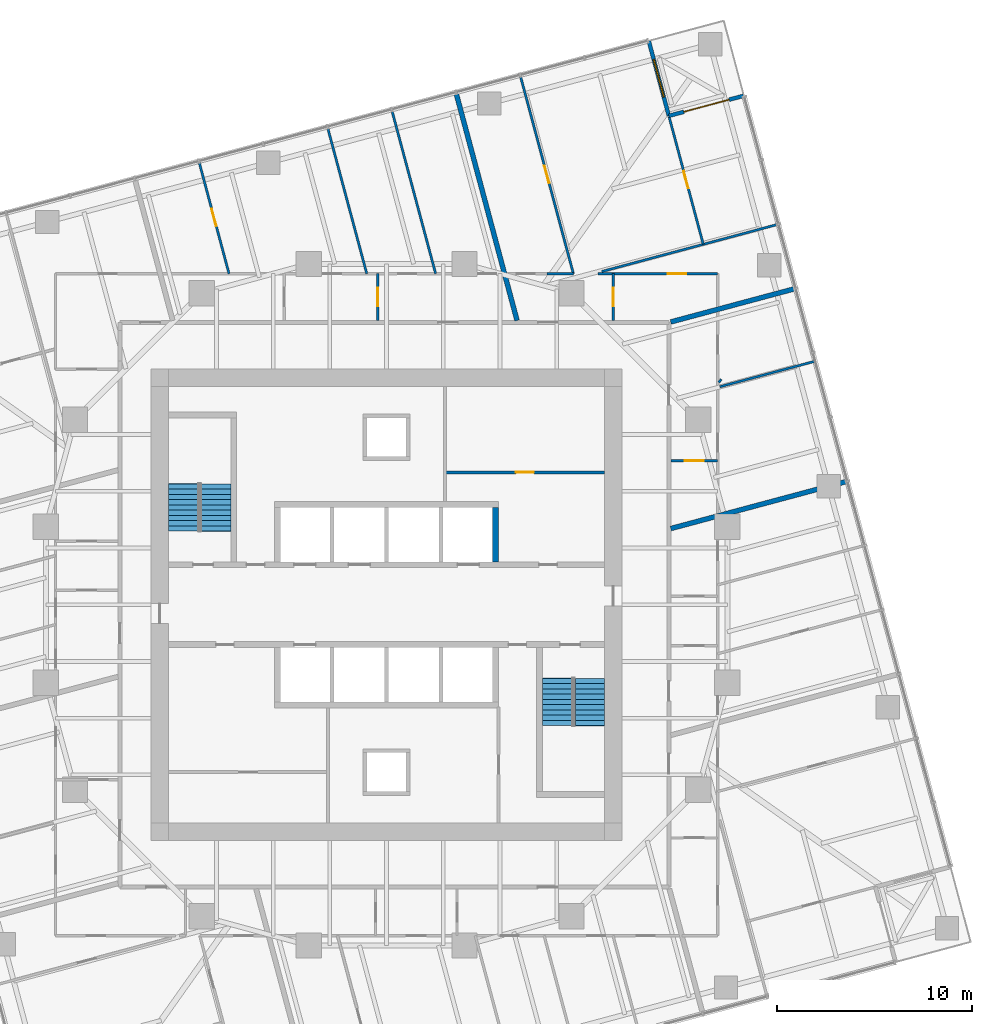
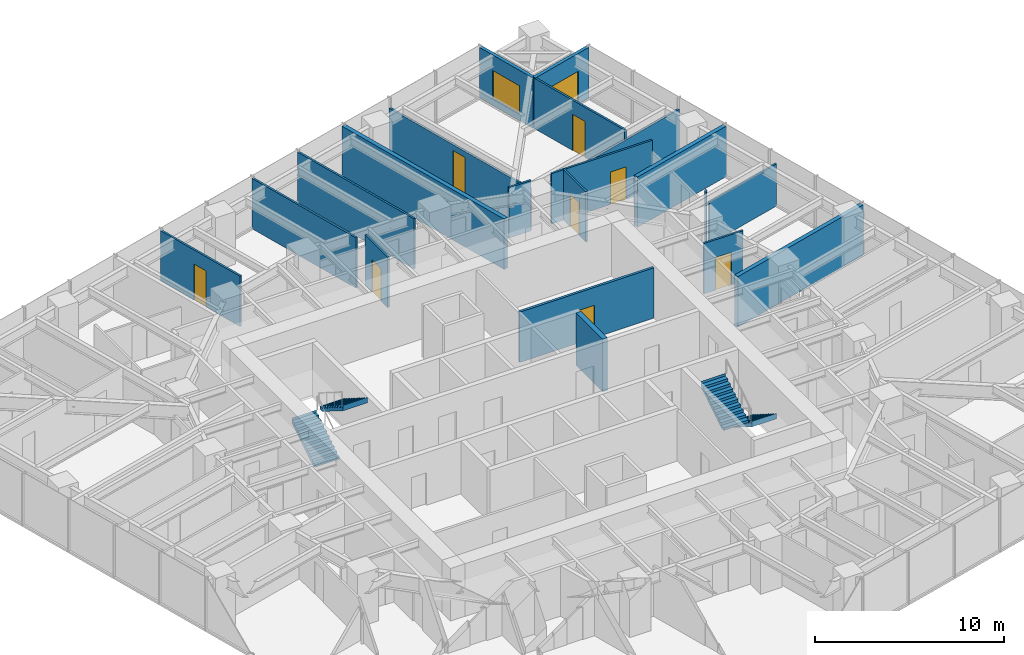
# One storey, part 12 of 13: 20 walls, 9 doors, 4 stair flights, 1 window, 10 openings, 2 elements without a shape of their own.
"""IFC4 building model written with IfcOpenShell, lengths in metres."""

import ifcopenshell
import ifcopenshell.guid

model = None  # the IFC model being written
_history = None  # IfcOwnerHistory: only IFC2X3 demands one
_inside = {}  # id of a spatial element -> (the spatial element, [elements in it])
_under = {}  # id of a project, library or spatial element -> (it, [spatial elements below it])
_declared = {}  # id of a project -> (the project, [libraries it declares])
_typed = {}  # id of a type object -> (the type object, [elements of that type])
_made_of = {}  # id of a material, layer set ... -> (it, [elements and type objects made of it])


def new_model(schema):
    """Start an empty IFC model of exactly this schema.

    Asked for "IFC4X3", IfcOpenShell would pick the latest addendum, in which some entities
    have other attributes; the version numbers below select the first issue.
    IFC2X3 requires an IfcOwnerHistory on every rooted entity: one is made here for all.
    """
    global model, _history
    if schema == "IFC4X3":
        model = ifcopenshell.file(schema_version=(4, 3, 0, 0))
    else:
        model = ifcopenshell.file(schema=schema)
    _inside.clear()
    _under.clear()
    _declared.clear()
    _typed.clear()
    _made_of.clear()
    _history = None
    if model.schema == "IFC2X3":
        org = make("IfcOrganization", Name="unknown")
        user = make(
            "IfcPersonAndOrganization",
            ThePerson=make("IfcPerson", FamilyName="unknown"),
            TheOrganization=org,
        )
        app = make(
            "IfcApplication",
            ApplicationDeveloper=org,
            Version="unknown",
            ApplicationFullName="unknown",
            ApplicationIdentifier="unknown",
        )
        _history = make(
            "IfcOwnerHistory",
            OwningUser=user,
            OwningApplication=app,
            ChangeAction="ADDED",
            CreationDate=0,
        )
    return model


def make(cls, **values):
    """One entity of the class cls with the attributes given. An attribute that is None is left unset."""
    return model.create_entity(
        cls, **{name: value for name, value in values.items() if value is not None}
    )


def rooted(cls, **values):
    """An entity with a GlobalId (a new one), such as an element, a storey or a relation."""
    return make(cls, GlobalId=ifcopenshell.guid.new(), OwnerHistory=_history, **values)


def si_unit(unit_type, name, prefix=None):
    """IfcSIUnit, for example si_unit("LENGTHUNIT", "METRE", prefix="MILLI")."""
    return make("IfcSIUnit", UnitType=unit_type, Prefix=prefix, Name=name)


def assignment(units):
    """IfcUnitAssignment: the units of a project."""
    return None if units is None else make("IfcUnitAssignment", Units=units)


def point(xyz):
    """IfcCartesianPoint."""
    return None if xyz is None else make("IfcCartesianPoint", Coordinates=xyz)


def direction(xyz):
    """IfcDirection."""
    return None if xyz is None else make("IfcDirection", DirectionRatios=xyz)


def frame(location, z_axis=None, x_axis=None):
    """IfcAxis2Placement3D, a coordinate frame: its origin and axes. An axis left out is left unset."""
    return make(
        "IfcAxis2Placement3D",
        Location=point(location),
        Axis=direction(z_axis),
        RefDirection=direction(x_axis),
    )


def frame_2d(location, x_axis=None):
    """IfcAxis2Placement2D, a coordinate frame in the plane: its origin and x axis."""
    return make(
        "IfcAxis2Placement2D", Location=point(location), RefDirection=direction(x_axis)
    )


def origin():
    """The frame at (0, 0, 0) with its axes left unset."""
    return frame((0.0, 0.0, 0.0))


def place(relative_to, where):
    """IfcLocalPlacement: puts the frame where relative to a parent placement (None: the world)."""
    return make(
        "IfcLocalPlacement", PlacementRelTo=relative_to, RelativePlacement=where
    )


def context(
    kind, dimensions, precision=None, world=None, true_north=None, identifier=None
):
    """IfcGeometricRepresentationContext, for example the 3D "Model" context."""
    return make(
        "IfcGeometricRepresentationContext",
        ContextIdentifier=identifier,
        ContextType=kind,
        CoordinateSpaceDimension=dimensions,
        Precision=precision,
        WorldCoordinateSystem=world,
        TrueNorth=true_north,
    )


def subcontext(parent, identifier, kind, view, scale=None):
    """IfcGeometricRepresentationSubContext, for example "Body" below "Model"."""
    return make(
        "IfcGeometricRepresentationSubContext",
        ContextIdentifier=identifier,
        ContextType=kind,
        ParentContext=parent,
        TargetScale=scale,
        TargetView=view,
    )


def project(units=None, contexts=None):
    """IfcProject with its units and contexts."""
    return rooted(
        "IfcProject",
        Name="project",
        RepresentationContexts=contexts,
        UnitsInContext=assignment(units),
    )


def spatial(cls, under=None, at=None, **own):
    """A site, building, storey or space (cls), placed at a placement, below another one or the project."""
    s = rooted(cls, ObjectPlacement=at, **own)
    if under is not None:
        _under.setdefault(under.id(), (under, []))[1].append(s)
    return s


def polyline(points):
    """IfcPolyline through the points."""
    return make("IfcPolyline", Points=[point(p) for p in points])


def profile(cls, at=None, kind="AREA", **sizes):
    """A parametric profile (cls). Its sizes go by their IFC names, for example OverallWidth=200.0."""
    return make(cls, ProfileType=kind, Position=at, **sizes)


def rectangle(**sizes):
    """IfcRectangleProfileDef."""
    return profile("IfcRectangleProfileDef", **sizes)


def outline(outer, holes=None, kind="AREA"):
    """IfcArbitraryClosedProfileDef: a profile drawn as a closed curve; with holes, ...WithVoids."""
    if holes is None:
        return make("IfcArbitraryClosedProfileDef", ProfileType=kind, OuterCurve=outer)
    return make(
        "IfcArbitraryProfileDefWithVoids",
        ProfileType=kind,
        OuterCurve=outer,
        InnerCurves=holes,
    )


def extrude(swept, where, along, depth):
    """IfcExtrudedAreaSolid: the profile swept, set in the frame where, extruded along a direction by depth."""
    return make(
        "IfcExtrudedAreaSolid",
        SweptArea=swept,
        Position=where,
        ExtrudedDirection=direction(along),
        Depth=depth,
    )


def shape(context_of_items, identifier, shape_type, items):
    """IfcShapeRepresentation: the items that make up one representation, for example the "Body"."""
    return make(
        "IfcShapeRepresentation",
        ContextOfItems=context_of_items,
        RepresentationIdentifier=identifier,
        RepresentationType=shape_type,
        Items=items,
    )


def material(Name=None, Category=None):
    """IfcMaterial."""
    return make("IfcMaterial", Name=Name, Category=Category)


def layer(
    of_material, thickness, ventilated=None, Name=None, Category=None, Priority=None
):
    """IfcMaterialLayer: one layer of a wall or slab, of a material (None: an air gap)."""
    return make(
        "IfcMaterialLayer",
        Material=of_material,
        LayerThickness=thickness,
        IsVentilated=ventilated,
        Name=Name,
        Category=Category,
        Priority=Priority,
    )


def layer_set(layers, Name=None):
    """IfcMaterialLayerSet."""
    return make("IfcMaterialLayerSet", MaterialLayers=layers, LayerSetName=Name)


def made_of(thing, what):
    """Note that an element or type object is made of a material, layer set ...; save() writes the relation."""
    if what is not None:
        _made_of.setdefault(what.id(), (what, []))[1].append(thing)
    return thing


def type_object(cls, material=None, **own):
    """A type object (cls), such as IfcWallType, which elements share."""
    return made_of(rooted(cls, **own), material)


def element(
    cls,
    number,
    at=None,
    inside=None,
    cuts=None,
    type_object=None,
    material=None,
    context=None,
    identifier="Body",
    shape_type=None,
    held_by="IfcProductDefinitionShape",
    body=None,
    shapes=None,
    **own,
):
    """One element of the class cls, such as IfcWall. Its Tag is "e" and its number.

    at: its placement. inside: the storey or other place that contains it. cuts: it is an
    opening in that element (IfcRelVoidsElement). A single representation is given by context,
    identifier, shape_type and body (its items); several are given by shapes. held_by: the class
    of the entity that holds the representations. save() writes the other relations.
    """
    e = rooted(cls, Tag="e%d" % number, ObjectPlacement=at, **own)
    if body is not None:
        shapes = [shape(context, identifier, shape_type, body)]
    if shapes is not None:
        e.Representation = make(held_by, Representations=shapes)
    if inside is not None:
        _inside.setdefault(inside.id(), (inside, []))[1].append(e)
    if cuts is not None:
        rooted(
            "IfcRelVoidsElement", RelatingBuildingElement=cuts, RelatedOpeningElement=e
        )
    if type_object is not None:
        _typed.setdefault(type_object.id(), (type_object, []))[1].append(e)
    return made_of(e, material)


def fill(opening, filler):
    """IfcRelFillsElement: the door or window that sits in an opening."""
    return rooted(
        "IfcRelFillsElement",
        RelatingOpeningElement=opening,
        RelatedBuildingElement=filler,
    )


def aggregate(whole, parts):
    """IfcRelAggregates: a whole, such as a stair, and the parts it consists of."""
    return rooted("IfcRelAggregates", RelatingObject=whole, RelatedObjects=parts)


def save(model, path):
    """Write the relations noted so far, then the file.

    IfcRelAggregates (storeys below a building ...), IfcRelContainedInSpatialStructure (elements
    in a storey), IfcRelDefinesByType, IfcRelAssociatesMaterial and IfcRelDeclares: one each for
    every whole, place, type object, material and project.
    """
    for whole, parts in _under.values():
        aggregate(whole, parts)
    for where, things in _inside.values():
        rooted(
            "IfcRelContainedInSpatialStructure",
            RelatedElements=things,
            RelatingStructure=where,
        )
    for kind, things in _typed.values():
        rooted("IfcRelDefinesByType", RelatedObjects=things, RelatingType=kind)
    for what, things in _made_of.values():
        rooted("IfcRelAssociatesMaterial", RelatedObjects=things, RelatingMaterial=what)
    for by, libraries in _declared.values():
        rooted("IfcRelDeclares", RelatingContext=by, RelatedDefinitions=libraries)
    model.write(path)


model = new_model("IFC4")

# Units and contexts
model_context = context("Model", 3, precision=1e-05, world=origin(), true_north=direction((0.0, 1.0)))
body_context = subcontext(model_context, "Body", "Model", "MODEL_VIEW")
ifc_project = project(units=[si_unit("LENGTHUNIT", "METRE"), si_unit("AREAUNIT", "SQUARE_METRE"), si_unit("VOLUMEUNIT", "CUBIC_METRE"), si_unit("PLANEANGLEUNIT", "RADIAN"), si_unit("MASSUNIT", "GRAM", prefix="KILO")], contexts=[model_context])

# Site, building, storey
site_placement = place(None, origin())
site = spatial("IfcSite", under=ifc_project, at=site_placement, CompositionType="ELEMENT")
building_placement = place(site_placement, origin())
building = spatial("IfcBuilding", under=site, at=building_placement, Name="Torsade Residences", CompositionType="ELEMENT")
storey_placement = place(building_placement, frame((0.0, 0.0, 115.0)))
storey = spatial("IfcBuildingStorey", under=building, at=storey_placement, Name="L31", CompositionType="ELEMENT", Elevation=115.0)

# Wall
ifc_material_1 = material(Name="Concrete 80 MPa", Category="concrete")
ifc_layer_1 = layer(ifc_material_1, 0.300048828125)
ifc_layer_set_1 = layer_set([ifc_layer_1], Name="Concrete 80 MPa")
wall_type_1 = type_object("IfcWallType", Name="CORE INTERNAL WALL 300", PredefinedType="SHEAR", material=ifc_layer_set_1)
wall_1_placement = place(storey_placement, frame((45.60009765625, 32.199951171875, 0.0), z_axis=(0.0, 0.0, 1.0), x_axis=(0.0, 1.0, 0.0)))
element("IfcWall", 1, at=wall_1_placement, inside=storey, type_object=wall_type_1, Name="Core wall DN4 L31", PredefinedType="SHEAR", context=body_context, shape_type="SweptSolid", body=[
    extrude(rectangle(XDim=2.800048828125, YDim=0.300048828125, at=frame_2d((1.39990234375, 0.0))), origin(), (0.0, 0.0, 1.0), 3.39990234375),
])

# Wall, opening, door
ifc_material_2 = material(Name="Plasterboard on steel stud", Category="steel")
ifc_layer_2 = layer(ifc_material_2, 0.1201171875)
ifc_layer_set_2 = layer_set([ifc_layer_2], Name="Plasterboard on steel stud")
wall_type_2 = type_object("IfcWallType", Name="PARTITION 120", PredefinedType="PARTITIONING", material=ifc_layer_set_2)
wall_2_placement = place(storey_placement, frame((57.0, 37.389892578125, 0.0), z_axis=(0.0, 0.0, 1.0), x_axis=(-1.0, 0.0, 0.0)))
wall_2 = element("IfcWall", 2, at=wall_2_placement, inside=storey, type_object=wall_type_2, Name="Partition L31", PredefinedType="PARTITIONING", context=body_context, shape_type="SweptSolid", body=[
    extrude(rectangle(XDim=2.39990234375, YDim=0.1201171875, at=frame_2d((1.199951171875, 0.0))), origin(), (0.0, 0.0, 1.0), 3.25),
])
opening_1_placement = place(wall_2_placement, frame((0.719970703125, 0.0, 0.0)))
opening_1 = element("IfcOpeningElement", 3, at=opening_1_placement, cuts=wall_2, Name="Opening D05", PredefinedType="OPENING", context=body_context, shape_type="SweptSolid", body=[
    extrude(rectangle(XDim=0.9599609375, YDim=2.10009765625, at=frame_2d((0.47998046875, 1.050048828125))), frame((0.0, 0.070068359375, 0.0), z_axis=(0.0, -1.0, 0.0), x_axis=(1.0, 0.0, 0.0)), (0.0, 0.0, 1.0), 0.14013671875),
])
ifc_material_3 = material(Name="Hollow-core timber door in a steel cavity frame", Category="steel")
door_type_1 = type_object("IfcDoorType", Name="BATHROOM CAVITY SLIDING DOOR 960", OperationType="SLIDING_TO_LEFT", PredefinedType="DOOR", material=ifc_material_3)
door_1_placement = place(opening_1_placement, origin())
door_1 = element("IfcDoor", 4, at=door_1_placement, inside=storey, type_object=door_type_1, Name="Door Kitchen and dining to Bathroom", OperationType="SLIDING_TO_LEFT", OverallHeight=2.10009765625, OverallWidth=0.9599609375, PredefinedType="DOOR", context=body_context, shape_type="SweptSolid", body=[
    extrude(rectangle(XDim=0.9599609375, YDim=2.10009765625, at=frame_2d((0.47998046875, 1.050048828125))), frame((0.0, 0.02490234375, 0.0), z_axis=(0.0, -1.0, 0.0), x_axis=(1.0, 0.0, 0.0)), (0.0, 0.0, 1.0), 0.050048828125),
])
fill(opening_1, door_1)

# Walls
wall_3_placement = place(storey_placement, frame((57.186767578125, 41.57958984375, 0.0), z_axis=(0.0, 0.0, 1.0), x_axis=(-0.609039064162, -0.793140226142, 0.0)))
element("IfcWall", 5, at=wall_3_placement, inside=storey, type_object=wall_type_2, Name="Partition L31", PredefinedType="PARTITIONING", context=body_context, shape_type="SweptSolid", body=[
    extrude(rectangle(XDim=0.2109375, YDim=0.1201171875, at=frame_2d((0.10546875, 0.0))), origin(), (0.0, 0.0, 1.0), 3.25),
])
wall_4_placement = place(storey_placement, frame((57.116455078125, 41.19482421875, 0.0), z_axis=(0.0, 0.0, 1.0), x_axis=(0.965921615375, 0.258834759935, 0.0)))
element("IfcWall", 6, at=wall_4_placement, inside=storey, type_object=wall_type_2, Name="Partition L31", PredefinedType="PARTITIONING", context=body_context, shape_type="SweptSolid", body=[
    extrude(rectangle(XDim=5.029296875, YDim=0.1201171875, at=frame_2d((2.5146484375, 0.0))), origin(), (0.0, 0.0, 1.0), 2.721923828125),
])

# Wall, opening, door
wall_5_placement = place(storey_placement, frame((51.6357421875, 47.0, 0.0), z_axis=(0.0, 0.0, 1.0), x_axis=(0.0, -1.0, 0.0)))
wall_5 = element("IfcWall", 7, at=wall_5_placement, inside=storey, type_object=wall_type_2, Name="Partition L31", PredefinedType="PARTITIONING", context=body_context, shape_type="SweptSolid", body=[
    extrude(rectangle(XDim=2.39990234375, YDim=0.1201171875, at=frame_2d((1.199951171875, 0.0))), origin(), (0.0, 0.0, 1.0), 3.25),
])
opening_2_placement = place(wall_5_placement, frame((0.719970703125, 0.0, 0.0)))
opening_2 = element("IfcOpeningElement", 8, at=opening_2_placement, cuts=wall_5, Name="Opening D05", PredefinedType="OPENING", context=body_context, shape_type="SweptSolid", body=[
    extrude(rectangle(XDim=0.9599609375, YDim=2.10009765625, at=frame_2d((0.47998046875, 1.050048828125))), frame((0.0, 0.070068359375, 0.0), z_axis=(0.0, -1.0, 0.0), x_axis=(1.0, 0.0, 0.0)), (0.0, 0.0, 1.0), 0.14013671875),
])
door_2_placement = place(opening_2_placement, origin())
door_2 = element("IfcDoor", 9, at=door_2_placement, inside=storey, type_object=door_type_1, Name="Door Kitchen and dining to Bathroom", OperationType="SLIDING_TO_LEFT", OverallHeight=2.10009765625, OverallWidth=0.9599609375, PredefinedType="DOOR", context=body_context, shape_type="SweptSolid", body=[
    extrude(rectangle(XDim=0.9599609375, YDim=2.10009765625, at=frame_2d((0.47998046875, 1.050048828125))), frame((0.0, 0.02490234375, 0.0), z_axis=(0.0, -1.0, 0.0), x_axis=(1.0, 0.0, 0.0)), (0.0, 0.0, 1.0), 0.050048828125),
])
fill(opening_2, door_2)

wall_6_placement = place(storey_placement, frame((50.852783203125, 47.0, 0.0), z_axis=(0.0, 0.0, 1.0), x_axis=(1.0, 0.0, 0.0)))
wall_6 = element("IfcWall", 10, at=wall_6_placement, inside=storey, type_object=wall_type_2, Name="Partition L31", PredefinedType="PARTITIONING", context=body_context, shape_type="SweptSolid", body=[
    extrude(rectangle(XDim=6.147216796875, YDim=0.1201171875, at=frame_2d((3.07373046875, 0.0))), origin(), (0.0, 0.0, 1.0), 3.25),
])
opening_3_placement = place(wall_6_placement, frame((3.585205078125, 0.0, 0.0)))
opening_3 = element("IfcOpeningElement", 11, at=opening_3_placement, cuts=wall_6, Name="Opening D05", PredefinedType="OPENING", context=body_context, shape_type="SweptSolid", body=[
    extrude(rectangle(XDim=0.9599609375, YDim=2.10009765625, at=frame_2d((0.47998046875, 1.050048828125))), frame((0.0, 0.070068359375, 0.0), z_axis=(0.0, -1.0, 0.0), x_axis=(1.0, 0.0, 0.0)), (0.0, 0.0, 1.0), 0.14013671875),
])
door_3_placement = place(opening_3_placement, origin())
door_3 = element("IfcDoor", 12, at=door_3_placement, inside=storey, type_object=door_type_1, Name="Door Bathroom to Bedroom 3", OperationType="SLIDING_TO_LEFT", OverallHeight=2.10009765625, OverallWidth=0.9599609375, PredefinedType="DOOR", context=body_context, shape_type="SweptSolid", body=[
    extrude(rectangle(XDim=0.9599609375, YDim=2.10009765625, at=frame_2d((0.47998046875, 1.050048828125))), frame((0.0, 0.02490234375, 0.0), z_axis=(0.0, -1.0, 0.0), x_axis=(1.0, 0.0, 0.0)), (0.0, 0.0, 1.0), 0.050048828125),
])
fill(opening_3, door_3)

wall_7_placement = place(storey_placement, frame((49.593505859375, 47.0, 0.0), z_axis=(0.0, 0.0, 1.0), x_axis=(-0.258797552287, 0.965931585015, 0.0)))
wall_7 = element("IfcWall", 13, at=wall_7_placement, inside=storey, type_object=wall_type_2, Name="Partition L31", PredefinedType="PARTITIONING", context=body_context, shape_type="SweptSolid", body=[
    extrude(rectangle(XDim=10.522216796875, YDim=0.1201171875, at=frame_2d((5.26123046875, 0.0))), origin(), (0.0, 0.0, 1.0), 2.721923828125),
])
opening_4_placement = place(wall_7_placement, frame((4.821044921875, 0.0, 0.0)))
opening_4 = element("IfcOpeningElement", 14, at=opening_4_placement, cuts=wall_7, Name="Opening D02", PredefinedType="OPENING", context=body_context, shape_type="SweptSolid", body=[
    extrude(rectangle(XDim=0.919921875, YDim=2.340087890625, at=frame_2d((0.4599609375, 1.169921875))), frame((0.0, 0.070068359375, 0.0), z_axis=(0.0, -1.0, 0.0), x_axis=(1.0, 0.0, 0.0)), (0.0, 0.0, 1.0), 0.14013671875),
])
ifc_material_4 = material(Name="Hollow-core timber door", Category="wood")
door_type_2 = type_object("IfcDoorType", Name="INTERNAL DOOR 920x2340", OperationType="NOTDEFINED", PredefinedType="DOOR", material=ifc_material_4)
door_4_placement = place(opening_4_placement, origin())
door_4 = element("IfcDoor", 15, at=door_4_placement, inside=storey, type_object=door_type_2, Name="Door Bedroom 1 to Living room", OperationType="SINGLE_SWING_RIGHT", OverallHeight=2.340087890625, OverallWidth=0.919921875, PredefinedType="DOOR", context=body_context, shape_type="SweptSolid", body=[
    extrude(rectangle(XDim=0.919921875, YDim=2.340087890625, at=frame_2d((0.4599609375, 1.169921875))), frame((0.0, 0.02490234375, 0.0), z_axis=(0.0, -1.0, 0.0), x_axis=(1.0, 0.0, 0.0)), (0.0, 0.0, 1.0), 0.050048828125),
])
fill(opening_4, door_4)

wall_8_placement = place(storey_placement, frame((54.506103515625, 55.068603515625, 0.0), z_axis=(0.0, 0.0, 1.0), x_axis=(0.258830095464, -0.965922865286, 0.0)))
wall_8 = element("IfcWall", 16, at=wall_8_placement, inside=storey, type_object=wall_type_2, Name="Partition L31", PredefinedType="PARTITIONING", context=body_context, shape_type="SweptSolid", body=[
    extrude(rectangle(XDim=6.793212890625, YDim=0.1201171875, at=frame_2d((3.396484375, 0.0))), origin(), (0.0, 0.0, 1.0), 3.25),
])
opening_5_placement = place(wall_8_placement, frame((2.8916015625, 0.0, 0.0)))
opening_5 = element("IfcOpeningElement", 17, at=opening_5_placement, cuts=wall_8, Name="Opening D02", PredefinedType="OPENING", context=body_context, shape_type="SweptSolid", body=[
    extrude(rectangle(XDim=0.919921875, YDim=2.340087890625, at=frame_2d((0.4599609375, 1.169921875))), frame((0.0, 0.070068359375, 0.0), z_axis=(0.0, -1.0, 0.0), x_axis=(1.0, 0.0, 0.0)), (0.0, 0.0, 1.0), 0.14013671875),
])
door_5_placement = place(opening_5_placement, origin())
door_5 = element("IfcDoor", 18, at=door_5_placement, inside=storey, type_object=door_type_2, Name="Door Living room to Bedroom 2", OperationType="SINGLE_SWING_LEFT", OverallHeight=2.340087890625, OverallWidth=0.919921875, PredefinedType="DOOR", context=body_context, shape_type="SweptSolid", body=[
    extrude(rectangle(XDim=0.919921875, YDim=2.340087890625, at=frame_2d((0.4599609375, 1.169921875))), frame((0.0, 0.02490234375, 0.0), z_axis=(0.0, -1.0, 0.0), x_axis=(1.0, 0.0, 0.0)), (0.0, 0.0, 1.0), 0.050048828125),
])
fill(opening_5, door_5)

# Wall
wall_9_placement = place(storey_placement, frame((60.08935546875, 49.53173828125, 0.0), z_axis=(0.0, 0.0, 1.0), x_axis=(-0.965927203676, -0.25881390457, 0.0)))
element("IfcWall", 19, at=wall_9_placement, inside=storey, type_object=wall_type_2, Name="Partition L31", PredefinedType="PARTITIONING", context=body_context, shape_type="SweptSolid", body=[
    extrude(rectangle(XDim=9.356689453125, YDim=0.1201171875, at=frame_2d((4.67822265625, 0.0))), origin(), (0.0, 0.0, 1.0), 2.637939453125),
])

# Wall, opening, door
wall_10_placement = place(storey_placement, frame((39.54443359375, 44.60009765625, 0.0), z_axis=(0.0, 0.0, 1.0), x_axis=(0.0, 1.0, 0.0)))
wall_10 = element("IfcWall", 20, at=wall_10_placement, inside=storey, type_object=wall_type_2, Name="Partition L31", PredefinedType="PARTITIONING", context=body_context, shape_type="SweptSolid", body=[
    extrude(rectangle(XDim=2.39990234375, YDim=0.1201171875, at=frame_2d((1.199951171875, 0.0))), origin(), (0.0, 0.0, 1.0), 3.25),
])
opening_6_placement = place(wall_10_placement, frame((0.719970703125, 0.0, 0.0)))
opening_6 = element("IfcOpeningElement", 21, at=opening_6_placement, cuts=wall_10, Name="Opening D05", PredefinedType="OPENING", context=body_context, shape_type="SweptSolid", body=[
    extrude(rectangle(XDim=0.9599609375, YDim=2.10009765625, at=frame_2d((0.47998046875, 1.050048828125))), frame((0.0, 0.070068359375, 0.0), z_axis=(0.0, -1.0, 0.0), x_axis=(1.0, 0.0, 0.0)), (0.0, 0.0, 1.0), 0.14013671875),
])
door_6_placement = place(opening_6_placement, origin())
door_6 = element("IfcDoor", 22, at=door_6_placement, inside=storey, type_object=door_type_1, Name="Door Kitchen and dining to Ensuite", OperationType="SLIDING_TO_LEFT", OverallHeight=2.10009765625, OverallWidth=0.9599609375, PredefinedType="DOOR", context=body_context, shape_type="SweptSolid", body=[
    extrude(rectangle(XDim=0.9599609375, YDim=2.10009765625, at=frame_2d((0.47998046875, 1.050048828125))), frame((0.0, 0.02490234375, 0.0), z_axis=(0.0, -1.0, 0.0), x_axis=(1.0, 0.0, 0.0)), (0.0, 0.0, 1.0), 0.050048828125),
])
fill(opening_6, door_6)

# Wall
wall_11_placement = place(storey_placement, frame((36.969482421875, 54.5107421875, 0.0), z_axis=(0.0, 0.0, 1.0), x_axis=(0.258813509689, -0.965927309482, 0.0)))
element("IfcWall", 23, at=wall_11_placement, inside=storey, type_object=wall_type_2, Name="Partition L31", PredefinedType="PARTITIONING", context=body_context, shape_type="SweptSolid", body=[
    extrude(rectangle(XDim=7.775634765625, YDim=0.1201171875, at=frame_2d((3.8876953125, 0.0))), origin(), (0.0, 0.0, 1.0), 3.25),
])

# Wall, opening, door
wall_12_placement = place(storey_placement, frame((31.90771484375, 47.0, 0.0), z_axis=(0.0, 0.0, 1.0), x_axis=(-0.258812722515, 0.965927520399, 0.0)))
wall_12 = element("IfcWall", 24, at=wall_12_placement, inside=storey, type_object=wall_type_2, Name="Partition L31", PredefinedType="PARTITIONING", context=body_context, shape_type="SweptSolid", body=[
    extrude(rectangle(XDim=5.94482421875, YDim=0.1201171875, at=frame_2d((2.972412109375, 0.0))), origin(), (0.0, 0.0, 1.0), 3.25),
])
opening_7_placement = place(wall_12_placement, frame((2.532470703125, 0.0, 0.0)))
opening_7 = element("IfcOpeningElement", 25, at=opening_7_placement, cuts=wall_12, Name="Opening D02", PredefinedType="OPENING", context=body_context, shape_type="SweptSolid", body=[
    extrude(rectangle(XDim=0.919921875, YDim=2.340087890625, at=frame_2d((0.4599609375, 1.169921875))), frame((0.0, 0.070068359375, 0.0), z_axis=(0.0, -1.0, 0.0), x_axis=(1.0, 0.0, 0.0)), (0.0, 0.0, 1.0), 0.14013671875),
])
door_7_placement = place(opening_7_placement, origin())
door_7 = element("IfcDoor", 26, at=door_7_placement, inside=storey, type_object=door_type_2, Name="Door Living room to Bedroom 3", OperationType="SINGLE_SWING_LEFT", OverallHeight=2.340087890625, OverallWidth=0.919921875, PredefinedType="DOOR", context=body_context, shape_type="SweptSolid", body=[
    extrude(rectangle(XDim=0.919921875, YDim=2.340087890625, at=frame_2d((0.4599609375, 1.169921875))), frame((0.0, 0.02490234375, 0.0), z_axis=(0.0, -1.0, 0.0), x_axis=(1.0, 0.0, 0.0)), (0.0, 0.0, 1.0), 0.050048828125),
])
fill(opening_7, door_7)

# Walls
wall_13_placement = place(storey_placement, frame((42.519287109375, 47.0, 0.0), z_axis=(0.0, 0.0, 1.0), x_axis=(-0.258819860698, 0.965925607751, 0.0)))
element("IfcWall", 27, at=wall_13_placement, inside=storey, type_object=wall_type_2, Name="Partition L31", PredefinedType="PARTITIONING", context=body_context, shape_type="SweptSolid", body=[
    extrude(rectangle(XDim=8.69140625, YDim=0.1201171875, at=frame_2d((4.345703125, 0.0))), origin(), (0.0, 0.0, 1.0), 3.25),
])
wall_14_placement = place(storey_placement, frame((48.24072265625, 47.0, 0.0), z_axis=(0.0, 0.0, 1.0), x_axis=(1.0, 0.0, 0.0)))
element("IfcWall", 28, at=wall_14_placement, inside=storey, type_object=wall_type_2, Name="Partition L31", PredefinedType="PARTITIONING", context=body_context, shape_type="SweptSolid", body=[
    extrude(rectangle(XDim=1.352783203125, YDim=0.1201171875, at=frame_2d((0.67626953125, 0.0))), origin(), (0.0, 0.0, 1.0), 3.25),
])
ifc_material_5 = material(Name="Masonry-lined stud party wall", Category="masonry")
ifc_layer_3 = layer(ifc_material_5, 0.25)
ifc_layer_set_3 = layer_set([ifc_layer_3], Name="Masonry-lined stud party wall")
wall_type_3 = type_object("IfcWallType", Name="PARTY WALL 250", PredefinedType="PARTITIONING", material=ifc_layer_set_3)
wall_15_placement = place(storey_placement, frame((63.665283203125, 36.341064453125, 0.0), z_axis=(0.0, 0.0, 1.0), x_axis=(-0.965927049013, -0.258814481793, 0.0)))
element("IfcWall", 29, at=wall_15_placement, inside=storey, type_object=wall_type_3, Name="Party wall L31", PredefinedType="PARTITIONING", context=body_context, shape_type="SweptSolid", body=[
    extrude(rectangle(XDim=9.3916015625, YDim=0.25, at=frame_2d((4.69580078125, 0.0))), origin(), (0.0, 0.0, 1.0), 3.25),
])
wall_16_placement = place(storey_placement, frame((43.5595703125, 56.318115234375, 0.0), z_axis=(0.0, 0.0, 1.0), x_axis=(0.258824223352, -0.965924438766, 0.0)))
element("IfcWall", 30, at=wall_16_placement, inside=storey, type_object=wall_type_3, Name="Party wall L31", PredefinedType="PARTITIONING", context=body_context, shape_type="SweptSolid", body=[
    extrude(rectangle(XDim=12.137939453125, YDim=0.25, at=frame_2d((6.06884765625, 0.0))), origin(), (0.0, 0.0, 1.0), 3.25),
])
wall_17_placement = place(storey_placement, frame((61.01220703125, 46.24169921875, 0.0), z_axis=(0.0, 0.0, 1.0), x_axis=(-0.965929355837, -0.25880587229, 0.0)))
element("IfcWall", 31, at=wall_17_placement, inside=storey, type_object=wall_type_3, Name="Party wall L31", PredefinedType="PARTITIONING", context=body_context, shape_type="SweptSolid", body=[
    extrude(rectangle(XDim=6.644775390625, YDim=0.25, at=frame_2d((3.322265625, 0.0))), origin(), (0.0, 0.0, 1.0), 3.25),
])

# Wall, opening, door
ifc_material_6 = material(Name="Reinforced blockwork", Category="masonry")
ifc_layer_4 = layer(ifc_material_6, 0.14990234375)
ifc_layer_set_4 = layer_set([ifc_layer_4], Name="Reinforced blockwork")
wall_type_4 = type_object("IfcWallType", Name="SERVICE ROOM WALL 150", PredefinedType="SOLIDWALL", material=ifc_layer_set_4)
wall_18_placement = place(storey_placement, frame((43.0, 36.800048828125, 0.0), z_axis=(0.0, 0.0, 1.0), x_axis=(1.0, 0.0, 0.0)))
wall_18 = element("IfcWall", 32, at=wall_18_placement, inside=storey, type_object=wall_type_4, Name="Service room wall L31", PredefinedType="SOLIDWALL", context=body_context, shape_type="SweptSolid", body=[
    extrude(rectangle(XDim=8.199951171875, YDim=0.14990234375, at=frame_2d((4.10009765625, 0.0))), origin(), (0.0, 0.0, 1.0), 3.25),
])
opening_8_placement = place(wall_18_placement, frame((3.639892578125, 0.0, 0.0)))
opening_8 = element("IfcOpeningElement", 33, at=opening_8_placement, cuts=wall_18, Name="Opening D06", PredefinedType="OPENING", context=body_context, shape_type="SweptSolid", body=[
    extrude(rectangle(XDim=0.919921875, YDim=2.10009765625, at=frame_2d((0.4599609375, 1.050048828125))), frame((0.0, 0.0849609375, 0.0), z_axis=(0.0, -1.0, 0.0), x_axis=(1.0, 0.0, 0.0)), (0.0, 0.0, 1.0), 0.169921875),
])
ifc_material_7 = material(Name="Steel-framed fire door", Category="steel")
door_type_3 = type_object("IfcDoorType", Name="FIRE DOOR 920", OperationType="NOTDEFINED", PredefinedType="DOOR", material=ifc_material_7)
door_8_placement = place(opening_8_placement, origin())
door_8 = element("IfcDoor", 34, at=door_8_placement, inside=storey, type_object=door_type_3, Name="Door Refuse room to Recycling room", OperationType="SINGLE_SWING_LEFT", OverallHeight=2.10009765625, OverallWidth=0.919921875, PredefinedType="DOOR", context=body_context, shape_type="SweptSolid", body=[
    extrude(rectangle(XDim=0.919921875, YDim=2.10009765625, at=frame_2d((0.4599609375, 1.050048828125))), frame((0.0, 0.02490234375, 0.0), z_axis=(0.0, -1.0, 0.0), x_axis=(1.0, 0.0, 0.0)), (0.0, 0.0, 1.0), 0.050048828125),
])
fill(opening_8, door_8)

ifc_material_8 = material(Name="Stone-faced precast concrete 40 MPa panel", Category="masonry")
ifc_layer_5 = layer(ifc_material_8, 0.199951171875)
ifc_layer_set_5 = layer_set([ifc_layer_5], Name="Stone-faced precast concrete 40 MPa panel")
wall_type_5 = type_object("IfcWallType", Name="TERRACE WALL 200", PredefinedType="SOLIDWALL", material=ifc_layer_set_5)
wall_19_placement = place(storey_placement, frame((58.359375, 56.142578125, 0.0), z_axis=(0.0, 0.0, 1.0), x_axis=(-0.965919172068, -0.258843877716, 0.0)))
wall_19 = element("IfcWall", 35, at=wall_19_placement, inside=storey, type_object=wall_type_5, Name="Terrace wall L31 5", PredefinedType="SOLIDWALL", context=body_context, shape_type="SweptSolid", body=[
    extrude(rectangle(XDim=4.0, YDim=0.199951171875, at=frame_2d((2.0, 0.0))), origin(), (0.0, 0.0, 1.0), 3.25),
])
opening_9_placement = place(wall_19_placement, frame((0.800048828125, 0.0, 0.0)))
opening_9 = element("IfcOpeningElement", 36, at=opening_9_placement, cuts=wall_19, Name="Opening D10A", PredefinedType="OPENING", context=body_context, shape_type="SweptSolid", body=[
    extrude(rectangle(XDim=2.39990234375, YDim=2.10009765625, at=frame_2d((1.199951171875, 1.050048828125))), frame((0.0, 0.10986328125, 0.0), z_axis=(0.0, -1.0, 0.0), x_axis=(1.0, 0.0, 0.0)), (0.0, 0.0, 1.0), 0.219970703125),
])
ifc_material_9 = material(Name="Aluminium-framed glass door", Category="aluminium")
door_type_4 = type_object("IfcDoorType", Name="TERRACE SLIDING DOOR 2400x2100", OperationType="SLIDING_TO_LEFT", PredefinedType="DOOR", material=ifc_material_9)
door_9_placement = place(opening_9_placement, origin())
door_9 = element("IfcDoor", 37, at=door_9_placement, inside=storey, type_object=door_type_4, Name="Terrace door L31 5", OperationType="SLIDING_TO_LEFT", OverallHeight=2.10009765625, OverallWidth=2.39990234375, PredefinedType="DOOR", context=body_context, shape_type="SweptSolid", body=[
    extrude(rectangle(XDim=2.39990234375, YDim=2.10009765625, at=frame_2d((1.199951171875, 1.050048828125))), frame((0.0, 0.02490234375, 0.0), z_axis=(0.0, -1.0, 0.0), x_axis=(1.0, 0.0, 0.0)), (0.0, 0.0, 1.0), 0.050048828125),
])
fill(opening_9, door_9)

# Wall, opening, window
wall_20_placement = place(storey_placement, frame((54.49560546875, 55.107177734375, 0.0), z_axis=(0.0, 0.0, 1.0), x_axis=(-0.258786931944, 0.965934430412, 0.0)))
wall_20 = element("IfcWall", 38, at=wall_20_placement, inside=storey, type_object=wall_type_5, Name="Terrace wall L31 6", PredefinedType="SOLIDWALL", context=body_context, shape_type="SweptSolid", body=[
    extrude(rectangle(XDim=4.0, YDim=0.199951171875, at=frame_2d((2.0, 0.0))), origin(), (0.0, 0.0, 1.0), 3.25),
])
opening_10_placement = place(wall_20_placement, frame((1.0, 0.0, 0.449951171875)))
opening_10 = element("IfcOpeningElement", 39, at=opening_10_placement, cuts=wall_20, Name="Opening W1B", PredefinedType="OPENING", context=body_context, shape_type="SweptSolid", body=[
    extrude(rectangle(XDim=2.0, YDim=1.800048828125, at=frame_2d((1.0, 0.89990234375))), frame((0.0, 0.10986328125, 0.0), z_axis=(0.0, -1.0, 0.0), x_axis=(1.0, 0.0, 0.0)), (0.0, 0.0, 1.0), 0.219970703125),
])
ifc_material_10 = material(Name="Aluminium-framed glass window", Category="aluminium")
window_type = type_object("IfcWindowType", Name="TERRACE WINDOW 2000x1800", PartitioningType="SINGLE_PANEL", PredefinedType="WINDOW", material=ifc_material_10)
window_placement = place(opening_10_placement, origin())
window = element("IfcWindow", 40, at=window_placement, inside=storey, type_object=window_type, Name="Terrace window L31 6", OverallHeight=1.800048828125, OverallWidth=2.0, PartitioningType="SINGLE_PANEL", PredefinedType="WINDOW", context=body_context, shape_type="SweptSolid", body=[
    extrude(rectangle(XDim=2.0, YDim=1.800048828125, at=frame_2d((1.0, 0.89990234375))), frame((0.0, 0.030029296875, 0.0), z_axis=(0.0, -1.0, 0.0), x_axis=(1.0, 0.0, 0.0)), (0.0, 0.0, 1.0), 0.06005859375),
])
fill(opening_10, window)

# Stair, stair flights
ifc_material_11 = material(Name="Precast concrete 40 MPa", Category="concrete")
stair_type = type_object("IfcStairType", Name="HALF-TURN FIRE STAIR 1500x3400", PredefinedType="HALF_TURN_STAIR", material=ifc_material_11)
stair_1_placement = place(storey_placement, origin())
stair_1 = element("IfcStair", 41, at=stair_1_placement, inside=storey, type_object=stair_type, Name="Stair ST1 L31", PredefinedType="HALF_TURN_STAIR")
ifc_material_12 = material(Name="Precast concrete 40 MPa", Category="concrete")
stair_flight_type = type_object("IfcStairFlightType", Name="PRECAST STAIR FLIGHT 1500x1700", PredefinedType="STRAIGHT", material=ifc_material_12)
stair_flight_1_placement = place(storey_placement, frame((29.550048828125, 33.780029296875, 0.0), z_axis=(0.0, 0.0, 1.0), x_axis=(0.0, 1.0, 0.0)))
stair_flight_1 = element("IfcStairFlight", 42, at=stair_flight_1_placement, type_object=stair_flight_type, Name="ST1 flight 1", NumberOfRisers=10, NumberOfTreads=9, PredefinedType="STRAIGHT", RiserHeight=0.17, TreadLength=0.27, context=body_context, shape_type="SweptSolid", body=[
    extrude(outline(polyline([(0.0, 0.0), (0.0, 0.169921875), (0.27001953125, 0.169921875), (0.27001953125, 0.340087890625), (0.5400390625, 0.340087890625), (0.5400390625, 0.510009765625), (0.81005859375, 0.510009765625), (0.81005859375, 0.679931640625), (1.080078125, 0.679931640625), (1.080078125, 0.85009765625), (1.35009765625, 0.85009765625), (1.35009765625, 1.02001953125), (1.6201171875, 1.02001953125), (1.6201171875, 1.18994140625), (1.889892578125, 1.18994140625), (1.889892578125, 1.360107421875), (2.159912109375, 1.360107421875), (2.159912109375, 1.530029296875), (2.429931640625, 1.530029296875), (2.429931640625, 1.699951171875), (2.43994140625, 1.699951171875), (2.43994140625, 1.352783203125), (2.429931640625, 1.352783203125), (0.28125, 0.0), (0.0, 0.0)])), frame((0.0, 0.75, 0.0), z_axis=(0.0, -1.0, 0.0), x_axis=(1.0, 0.0, 0.0)), (0.0, 0.0, 1.0), 1.5),
])
stair_flight_2_placement = place(storey_placement, frame((31.25, 36.2099609375, 1.699951171875), z_axis=(0.0, 0.0, 1.0), x_axis=(0.0, -1.0, 0.0)))
stair_flight_2 = element("IfcStairFlight", 43, at=stair_flight_2_placement, type_object=stair_flight_type, Name="ST1 flight 2", NumberOfRisers=10, NumberOfTreads=9, PredefinedType="STRAIGHT", RiserHeight=0.17, TreadLength=0.27, context=body_context, shape_type="SweptSolid", body=[
    extrude(outline(polyline([(0.0, 0.0), (0.0, 0.169921875), (0.27001953125, 0.169921875), (0.27001953125, 0.340087890625), (0.5400390625, 0.340087890625), (0.5400390625, 0.510009765625), (0.81005859375, 0.510009765625), (0.81005859375, 0.679931640625), (1.080078125, 0.679931640625), (1.080078125, 0.85009765625), (1.35009765625, 0.85009765625), (1.35009765625, 1.02001953125), (1.6201171875, 1.02001953125), (1.6201171875, 1.18994140625), (1.889892578125, 1.18994140625), (1.889892578125, 1.360107421875), (2.159912109375, 1.360107421875), (2.159912109375, 1.530029296875), (2.429931640625, 1.530029296875), (2.429931640625, 1.699951171875), (2.43994140625, 1.699951171875), (2.43994140625, 1.352783203125), (2.429931640625, 1.352783203125), (0.28125, 0.0), (0.0, 0.0)])), frame((0.0, 0.75, 0.0), z_axis=(0.0, -1.0, 0.0), x_axis=(1.0, 0.0, 0.0)), (0.0, 0.0, 1.0), 1.5),
])
aggregate(stair_1, [stair_flight_1, stair_flight_2])

stair_2_placement = place(storey_placement, origin())
stair_2 = element("IfcStair", 44, at=stair_2_placement, inside=storey, type_object=stair_type, Name="Stair ST2 L31", PredefinedType="HALF_TURN_STAIR")
stair_flight_3_placement = place(storey_placement, frame((50.449951171875, 26.219970703125, 0.0), z_axis=(0.0, 0.0, 1.0), x_axis=(0.0, -1.0, 0.0)))
stair_flight_3 = element("IfcStairFlight", 45, at=stair_flight_3_placement, type_object=stair_flight_type, Name="ST2 flight 1", NumberOfRisers=10, NumberOfTreads=9, PredefinedType="STRAIGHT", RiserHeight=0.17, TreadLength=0.27, context=body_context, shape_type="SweptSolid", body=[
    extrude(outline(polyline([(0.0, 0.0), (0.0, 0.169921875), (0.27001953125, 0.169921875), (0.27001953125, 0.340087890625), (0.5400390625, 0.340087890625), (0.5400390625, 0.510009765625), (0.81005859375, 0.510009765625), (0.81005859375, 0.679931640625), (1.080078125, 0.679931640625), (1.080078125, 0.85009765625), (1.35009765625, 0.85009765625), (1.35009765625, 1.02001953125), (1.6201171875, 1.02001953125), (1.6201171875, 1.18994140625), (1.889892578125, 1.18994140625), (1.889892578125, 1.360107421875), (2.159912109375, 1.360107421875), (2.159912109375, 1.530029296875), (2.429931640625, 1.530029296875), (2.429931640625, 1.699951171875), (2.43994140625, 1.699951171875), (2.43994140625, 1.352783203125), (2.429931640625, 1.352783203125), (0.28125, 0.0), (0.0, 0.0)])), frame((0.0, 0.75, 0.0), z_axis=(0.0, -1.0, 0.0), x_axis=(1.0, 0.0, 0.0)), (0.0, 0.0, 1.0), 1.5),
])
stair_flight_4_placement = place(storey_placement, frame((48.75, 23.7900390625, 1.699951171875), z_axis=(0.0, 0.0, 1.0), x_axis=(0.0, 1.0, 0.0)))
stair_flight_4 = element("IfcStairFlight", 46, at=stair_flight_4_placement, type_object=stair_flight_type, Name="ST2 flight 2", NumberOfRisers=10, NumberOfTreads=9, PredefinedType="STRAIGHT", RiserHeight=0.17, TreadLength=0.27, context=body_context, shape_type="SweptSolid", body=[
    extrude(outline(polyline([(0.0, 0.0), (0.0, 0.169921875), (0.27001953125, 0.169921875), (0.27001953125, 0.340087890625), (0.5400390625, 0.340087890625), (0.5400390625, 0.510009765625), (0.81005859375, 0.510009765625), (0.81005859375, 0.679931640625), (1.080078125, 0.679931640625), (1.080078125, 0.85009765625), (1.35009765625, 0.85009765625), (1.35009765625, 1.02001953125), (1.6201171875, 1.02001953125), (1.6201171875, 1.18994140625), (1.889892578125, 1.18994140625), (1.889892578125, 1.360107421875), (2.159912109375, 1.360107421875), (2.159912109375, 1.530029296875), (2.429931640625, 1.530029296875), (2.429931640625, 1.699951171875), (2.43994140625, 1.699951171875), (2.43994140625, 1.352783203125), (2.429931640625, 1.352783203125), (0.28125, 0.0), (0.0, 0.0)])), frame((0.0, 0.75, 0.0), z_axis=(0.0, -1.0, 0.0), x_axis=(1.0, 0.0, 0.0)), (0.0, 0.0, 1.0), 1.5),
])
aggregate(stair_2, [stair_flight_3, stair_flight_4])

save(model, "model.ifc")
